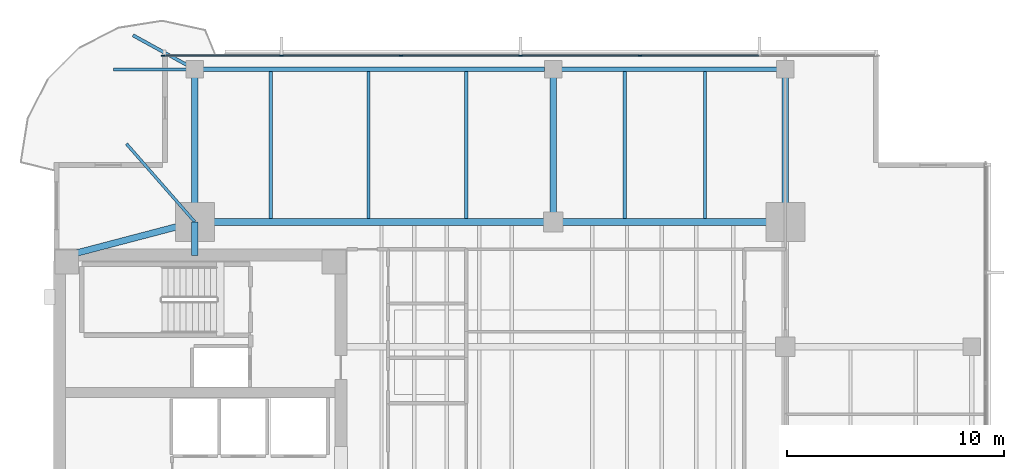
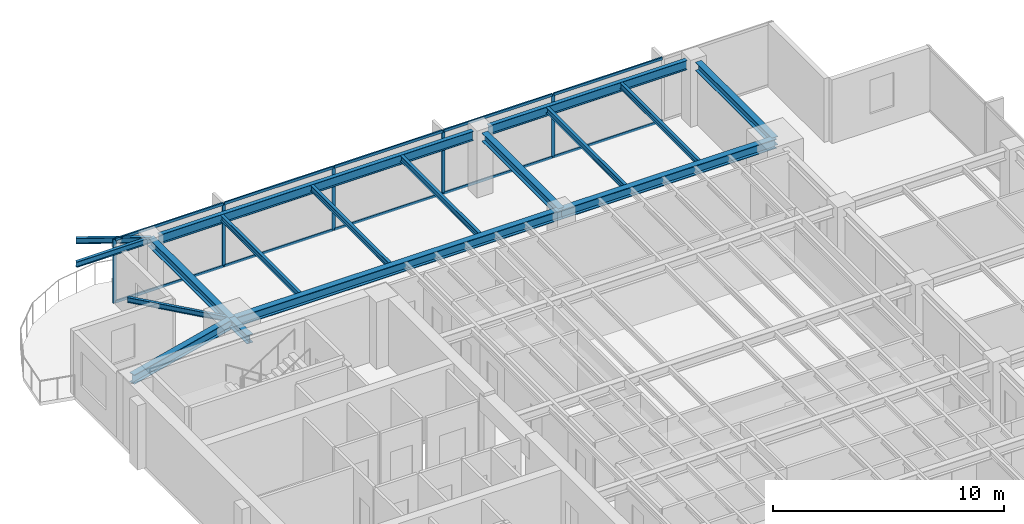
# One storey, part 5 of 14: 17 beams, 15 members, 1 element without a shape of its own.
"""IFC4 building model written with IfcOpenShell, lengths in metres."""

from ifc_helpers import new_model, si_unit, direction, frame, origin, origin_2d, place, context, subcontext, project, spatial, rectangle, i_section, extrude, material, layer, layer_set, material_profile, profile_set, type_object, element, aggregate, save


model = new_model("IFC4")

# Units and contexts
model_context = context("Model", 3, precision=1e-05, world=origin(), true_north=direction((0.0, 1.0)))
body_context = subcontext(model_context, "Body", "Model", "MODEL_VIEW")
ifc_project = project(units=[si_unit("LENGTHUNIT", "METRE"), si_unit("AREAUNIT", "SQUARE_METRE"), si_unit("VOLUMEUNIT", "CUBIC_METRE"), si_unit("PLANEANGLEUNIT", "RADIAN"), si_unit("MASSUNIT", "GRAM", prefix="KILO")], contexts=[model_context])

# Site, building, storey
site_placement = place(None, origin())
site = spatial("IfcSite", under=ifc_project, at=site_placement, CompositionType="ELEMENT")
building_placement = place(site_placement, origin())
building = spatial("IfcBuilding", under=site, at=building_placement, Name="Kinhvarn Gate Tower", CompositionType="ELEMENT")
storey_placement = place(building_placement, frame((0.0, 0.0, 227.10009765625)))
storey = spatial("IfcBuildingStorey", under=building, at=storey_placement, Name="L60", CompositionType="ELEMENT", Elevation=227.10009765625)

# Curtain wall, members
ifc_material_1 = material(Name="Anodised aluminium AW-6063", Category="aluminium")
ifc_layer = layer(ifc_material_1, 0.179931640625)
ifc_layer_set = layer_set([ifc_layer], Name="Anodised aluminium AW-6063")
curtain_wall_type = type_object("IfcCurtainWallType", Name="CW-SYS-3", PredefinedType="NOTDEFINED", material=ifc_layer_set)
curtain_wall_placement = place(storey_placement, origin())
curtain_wall = element("IfcCurtainWall", 1, at=curtain_wall_placement, inside=storey, type_object=curtain_wall_type, Name="Curtain Wall CW3 (L60)", PredefinedType="NOTDEFINED")
ifc_material_profile_1 = material_profile(ifc_material_1, rectangle(XDim=0.06494140625, YDim=0.159912109375, at=origin_2d()), Name="ALU 65x160")
ifc_profile_set_1 = profile_set([ifc_material_profile_1], Name="Anodised aluminium AW-6063")
member_type_1 = type_object("IfcMemberType", Name="CW-MUL-160", PredefinedType="MULLION", material=ifc_profile_set_1)
member_1_placement = place(storey_placement, frame((31.5, 45.409912109375, 0.0), z_axis=(0.0, 0.0, 1.0), x_axis=(0.0, -1.0, 0.0)))
member_1 = element("IfcMember", 2, at=member_1_placement, type_object=member_type_1, Name="CW3 mullion 3", PredefinedType="MULLION", context=body_context, shape_type="SweptSolid", body=[
    extrude(rectangle(XDim=0.06494140625, YDim=0.159912109375, at=origin_2d()), origin(), (0.0, 0.0, 1.0), 3.369873046875),
])
member_2_placement = place(storey_placement, frame((26.0, 45.409912109375, 0.0), z_axis=(0.0, 0.0, 1.0), x_axis=(0.0, -1.0, 0.0)))
member_2 = element("IfcMember", 3, at=member_2_placement, type_object=member_type_1, Name="CW3 mullion 4", PredefinedType="MULLION", context=body_context, shape_type="SweptSolid", body=[
    extrude(rectangle(XDim=0.06494140625, YDim=0.159912109375, at=origin_2d()), origin(), (0.0, 0.0, 1.0), 3.369873046875),
])
member_3_placement = place(storey_placement, frame((20.5, 45.409912109375, 0.0), z_axis=(0.0, 0.0, 1.0), x_axis=(0.0, -1.0, 0.0)))
member_3 = element("IfcMember", 4, at=member_3_placement, type_object=member_type_1, Name="CW3 mullion 5", PredefinedType="MULLION", context=body_context, shape_type="SweptSolid", body=[
    extrude(rectangle(XDim=0.06494140625, YDim=0.159912109375, at=origin_2d()), origin(), (0.0, 0.0, 1.0), 3.369873046875),
])
member_4_placement = place(storey_placement, frame((15.0, 45.409912109375, 0.0), z_axis=(0.0, 0.0, 1.0), x_axis=(0.0, -1.0, 0.0)))
member_4 = element("IfcMember", 5, at=member_4_placement, type_object=member_type_1, Name="CW3 mullion 6", PredefinedType="MULLION", context=body_context, shape_type="SweptSolid", body=[
    extrude(rectangle(XDim=0.06494140625, YDim=0.159912109375, at=origin_2d()), origin(), (0.0, 0.0, 1.0), 3.369873046875),
])
member_5_placement = place(storey_placement, frame((9.532470703125, 45.409912109375, 0.0), z_axis=(0.0, 0.0, 1.0), x_axis=(0.0, -1.0, 0.0)))
member_5 = element("IfcMember", 6, at=member_5_placement, type_object=member_type_1, Name="CW3 mullion 7", PredefinedType="MULLION", context=body_context, shape_type="SweptSolid", body=[
    extrude(rectangle(XDim=0.06494140625, YDim=0.159912109375, at=origin_2d()), origin(), (0.0, 0.0, 1.0), 3.369873046875),
])
ifc_material_profile_2 = material_profile(ifc_material_1, rectangle(XDim=0.070068359375, YDim=0.139892578125, at=origin_2d()), Name="ALU 70x140")
ifc_profile_set_2 = profile_set([ifc_material_profile_2], Name="Anodised aluminium AW-6063")
member_type_2 = type_object("IfcMemberType", Name="CW-TRN-140", PredefinedType="USERDEFINED", material=ifc_profile_set_2)
member_6_placement = place(storey_placement, frame((36.967529296875, 45.409912109375, 0.034912109375), z_axis=(-1.0, 0.0, 0.0), x_axis=(0.0, -1.0, 0.0)))
member_6 = element("IfcMember", 7, at=member_6_placement, type_object=member_type_2, Name="CW3 transom 2.1", ObjectType="TRANSOM", PredefinedType="USERDEFINED", context=body_context, shape_type="SweptSolid", body=[
    extrude(rectangle(XDim=0.070068359375, YDim=0.139892578125, at=origin_2d()), origin(), (0.0, 0.0, 1.0), 5.43505859375),
])
member_7_placement = place(storey_placement, frame((36.967529296875, 45.409912109375, 3.3349609375), z_axis=(-1.0, 0.0, 0.0), x_axis=(0.0, -1.0, 0.0)))
member_7 = element("IfcMember", 8, at=member_7_placement, type_object=member_type_2, Name="CW3 transom 2.2", ObjectType="TRANSOM", PredefinedType="USERDEFINED", context=body_context, shape_type="SweptSolid", body=[
    extrude(rectangle(XDim=0.070068359375, YDim=0.139892578125, at=origin_2d()), origin(), (0.0, 0.0, 1.0), 5.43505859375),
])
member_8_placement = place(storey_placement, frame((31.467529296875, 45.409912109375, 0.034912109375), z_axis=(-1.0, 0.0, 0.0), x_axis=(0.0, -1.0, 0.0)))
member_8 = element("IfcMember", 9, at=member_8_placement, type_object=member_type_2, Name="CW3 transom 3.1", ObjectType="TRANSOM", PredefinedType="USERDEFINED", context=body_context, shape_type="SweptSolid", body=[
    extrude(rectangle(XDim=0.070068359375, YDim=0.139892578125, at=origin_2d()), origin(), (0.0, 0.0, 1.0), 5.43505859375),
])
member_9_placement = place(storey_placement, frame((31.467529296875, 45.409912109375, 3.3349609375), z_axis=(-1.0, 0.0, 0.0), x_axis=(0.0, -1.0, 0.0)))
member_9 = element("IfcMember", 10, at=member_9_placement, type_object=member_type_2, Name="CW3 transom 3.2", ObjectType="TRANSOM", PredefinedType="USERDEFINED", context=body_context, shape_type="SweptSolid", body=[
    extrude(rectangle(XDim=0.070068359375, YDim=0.139892578125, at=origin_2d()), origin(), (0.0, 0.0, 1.0), 5.43505859375),
])
member_10_placement = place(storey_placement, frame((25.967529296875, 45.409912109375, 0.034912109375), z_axis=(-1.0, 0.0, 0.0), x_axis=(0.0, -1.0, 0.0)))
member_10 = element("IfcMember", 11, at=member_10_placement, type_object=member_type_2, Name="CW3 transom 4.1", ObjectType="TRANSOM", PredefinedType="USERDEFINED", context=body_context, shape_type="SweptSolid", body=[
    extrude(rectangle(XDim=0.070068359375, YDim=0.139892578125, at=origin_2d()), origin(), (0.0, 0.0, 1.0), 5.43505859375),
])
member_11_placement = place(storey_placement, frame((25.967529296875, 45.409912109375, 3.3349609375), z_axis=(-1.0, 0.0, 0.0), x_axis=(0.0, -1.0, 0.0)))
member_11 = element("IfcMember", 12, at=member_11_placement, type_object=member_type_2, Name="CW3 transom 4.2", ObjectType="TRANSOM", PredefinedType="USERDEFINED", context=body_context, shape_type="SweptSolid", body=[
    extrude(rectangle(XDim=0.070068359375, YDim=0.139892578125, at=origin_2d()), origin(), (0.0, 0.0, 1.0), 5.43505859375),
])
member_12_placement = place(storey_placement, frame((20.467529296875, 45.409912109375, 0.034912109375), z_axis=(-1.0, 0.0, 0.0), x_axis=(0.0, -1.0, 0.0)))
member_12 = element("IfcMember", 13, at=member_12_placement, type_object=member_type_2, Name="CW3 transom 5.1", ObjectType="TRANSOM", PredefinedType="USERDEFINED", context=body_context, shape_type="SweptSolid", body=[
    extrude(rectangle(XDim=0.070068359375, YDim=0.139892578125, at=origin_2d()), origin(), (0.0, 0.0, 1.0), 5.43505859375),
])
member_13_placement = place(storey_placement, frame((20.467529296875, 45.409912109375, 3.3349609375), z_axis=(-1.0, 0.0, 0.0), x_axis=(0.0, -1.0, 0.0)))
member_13 = element("IfcMember", 14, at=member_13_placement, type_object=member_type_2, Name="CW3 transom 5.2", ObjectType="TRANSOM", PredefinedType="USERDEFINED", context=body_context, shape_type="SweptSolid", body=[
    extrude(rectangle(XDim=0.070068359375, YDim=0.139892578125, at=origin_2d()), origin(), (0.0, 0.0, 1.0), 5.43505859375),
])
member_14_placement = place(storey_placement, frame((14.967529296875, 45.409912109375, 0.034912109375), z_axis=(-1.0, 0.0, 0.0), x_axis=(0.0, -1.0, 0.0)))
member_14 = element("IfcMember", 15, at=member_14_placement, type_object=member_type_2, Name="CW3 transom 6.1", ObjectType="TRANSOM", PredefinedType="USERDEFINED", context=body_context, shape_type="SweptSolid", body=[
    extrude(rectangle(XDim=0.070068359375, YDim=0.139892578125, at=origin_2d()), origin(), (0.0, 0.0, 1.0), 5.402587890625),
])
member_15_placement = place(storey_placement, frame((14.967529296875, 45.409912109375, 3.3349609375), z_axis=(-1.0, 0.0, 0.0), x_axis=(0.0, -1.0, 0.0)))
member_15 = element("IfcMember", 16, at=member_15_placement, type_object=member_type_2, Name="CW3 transom 6.2", ObjectType="TRANSOM", PredefinedType="USERDEFINED", context=body_context, shape_type="SweptSolid", body=[
    extrude(rectangle(XDim=0.070068359375, YDim=0.139892578125, at=origin_2d()), origin(), (0.0, 0.0, 1.0), 5.402587890625),
])
aggregate(curtain_wall, [member_1, member_2, member_3, member_4, member_5, member_6, member_7, member_8, member_9, member_10, member_11, member_12, member_13, member_14, member_15])

# Beams
ifc_material_2 = material(Name="Steel S355", Category="steel")
ifc_material_profile_3 = material_profile(ifc_material_2, i_section(OverallWidth=0.300048828125, OverallDepth=0.449951171875, WebThickness=0.013916015625, FlangeThickness=0.02587890625, at=origin_2d()), Name="HEB 450")
ifc_profile_set_3 = profile_set([ifc_material_profile_3], Name="Steel S355")
beam_type_1 = type_object("IfcBeamType", Name="STL-HEB450", PredefinedType="BEAM", material=ifc_profile_set_3)
beam_1_placement = place(storey_placement, frame((11.0, 36.199951171875, 3.14501953125), z_axis=(0.0, 1.0, 0.0), x_axis=(-1.0, 0.0, 0.0)))
element("IfcBeam", 17, at=beam_1_placement, inside=storey, type_object=beam_type_1, Name="Floor Beam PG-13 (L60 MCW-CN)", PredefinedType="BEAM", context=body_context, shape_type="SweptSolid", body=[
    extrude(i_section(OverallWidth=0.300048828125, OverallDepth=0.449951171875, WebThickness=0.013916015625, FlangeThickness=0.02587890625, at=origin_2d()), origin(), (0.0, 0.0, 1.0), 1.550048828125),
])
beam_2_placement = place(storey_placement, frame((11.0, 37.75, 3.14501953125), z_axis=(0.0, 1.0, 0.0), x_axis=(-1.0, 0.0, 0.0)))
element("IfcBeam", 18, at=beam_2_placement, inside=storey, type_object=beam_type_1, Name="Floor Beam PG-13 (L60 MCW-N)", PredefinedType="BEAM", context=body_context, shape_type="SweptSolid", body=[
    extrude(i_section(OverallWidth=0.300048828125, OverallDepth=0.449951171875, WebThickness=0.013916015625, FlangeThickness=0.02587890625, at=origin_2d()), origin(), (0.0, 0.0, 1.0), 7.030029296875),
])
for number, where, z_axis, x_axis, name in (
    (19, (27.5, 37.75, 3.14501953125), (0.0, 1.0, 0.0), (-1.0, 0.0, 0.0), "Floor Beam PG-13 (L60 SP27-N-TIE)"),
    (20, (38.199951171875, 37.75, 3.14501953125), (0.0, 1.0, 0.0), (-1.0, 0.0, 0.0), "Floor Beam PG-13 (L60 MCE-N)"),
):
    element("IfcBeam", number, at=place(storey_placement, frame(where, z_axis=z_axis, x_axis=x_axis)), inside=storey, type_object=beam_type_1, Name=name, PredefinedType="BEAM", context=body_context, shape_type="SweptSolid", body=[
        extrude(i_section(OverallWidth=0.300048828125, OverallDepth=0.449951171875, WebThickness=0.013916015625, FlangeThickness=0.02587890625, at=origin_2d()), origin(), (0.0, 0.0, 1.0), 6.64501953125),
    ])
ifc_material_profile_4 = material_profile(ifc_material_2, i_section(OverallWidth=0.300048828125, OverallDepth=0.5, WebThickness=0.014404296875, FlangeThickness=0.028076171875, at=origin_2d()), Name="HEB 500")
ifc_profile_set_4 = profile_set([ifc_material_profile_4], Name="Steel S355")
beam_type_2 = type_object("IfcBeamType", Name="STL-HEB500", PredefinedType="BEAM", material=ifc_profile_set_4)
beam_3_placement = place(storey_placement, frame((11.0, 37.75, 3.119873046875), z_axis=(1.0, 0.0, 0.0), x_axis=(0.0, 1.0, 0.0)))
element("IfcBeam", 21, at=beam_3_placement, inside=storey, type_object=beam_type_2, Name="Floor Beam PG-14 (L60 MG-N1)", PredefinedType="BEAM", context=body_context, shape_type="SweptSolid", body=[
    extrude(i_section(OverallWidth=0.300048828125, OverallDepth=0.5, WebThickness=0.014404296875, FlangeThickness=0.028076171875, at=origin_2d()), origin(), (0.0, 0.0, 1.0), 16.5),
])
beam_4_placement = place(storey_placement, frame((27.5, 37.75, 3.119873046875), z_axis=(1.0, 0.0, 0.0), x_axis=(0.0, 1.0, 0.0)))
element("IfcBeam", 22, at=beam_4_placement, inside=storey, type_object=beam_type_2, Name="Floor Beam PG-14 (L60 MG-N2)", PredefinedType="BEAM", context=body_context, shape_type="SweptSolid", body=[
    extrude(i_section(OverallWidth=0.300048828125, OverallDepth=0.5, WebThickness=0.014404296875, FlangeThickness=0.028076171875, at=origin_2d()), origin(), (0.0, 0.0, 1.0), 10.699951171875),
])
beam_5_placement = place(storey_placement, frame((5.10009765625, 36.199951171875, 3.119873046875), z_axis=(0.967177623957, 0.254101246979, 0.0), x_axis=(-0.254101246979, 0.967177623957, 0.0)))
element("IfcBeam", 23, at=beam_5_placement, inside=storey, type_object=beam_type_2, Name="Floor Beam PG-14 (L60 MG-NW-DIAG)", PredefinedType="BEAM", context=body_context, shape_type="SweptSolid", body=[
    extrude(i_section(OverallWidth=0.300048828125, OverallDepth=0.5, WebThickness=0.014404296875, FlangeThickness=0.028076171875, at=origin_2d()), origin(), (0.0, 0.0, 1.0), 6.10009765625),
])
ifc_material_profile_5 = material_profile(ifc_material_2, i_section(OverallWidth=0.135009765625, OverallDepth=0.27001953125, WebThickness=0.006591796875, FlangeThickness=0.01025390625, at=origin_2d()), Name="IPE 270")
ifc_profile_set_5 = profile_set([ifc_material_profile_5], Name="Steel S355")
beam_type_3 = type_object("IfcBeamType", Name="STL-IPE270", PredefinedType="JOIST", material=ifc_profile_set_5)
beam_6_placement = place(storey_placement, frame((11.0, 37.75, 3.23486328125), z_axis=(-0.658482928045, 0.752595664001, 0.0), x_axis=(-0.752595664001, -0.658482928045, 0.0)))
element("IfcBeam", 24, at=beam_6_placement, inside=storey, type_object=beam_type_3, Name="Floor Joist SB-01 (L60 BAL-B3-L61)", PredefinedType="JOIST", context=body_context, shape_type="SweptSolid", body=[
    extrude(i_section(OverallWidth=0.135009765625, OverallDepth=0.27001953125, WebThickness=0.006591796875, FlangeThickness=0.01025390625, at=origin_2d()), origin(), (0.0, 0.0, 1.0), 4.78369140625),
])
ifc_material_profile_6 = material_profile(ifc_material_2, i_section(OverallWidth=0.14990234375, OverallDepth=0.300048828125, WebThickness=0.007080078125, FlangeThickness=0.0107421875, at=origin_2d()), Name="IPE 300")
ifc_profile_set_6 = profile_set([ifc_material_profile_6], Name="Steel S355")
beam_type_4 = type_object("IfcBeamType", Name="STL-IPE300", PredefinedType="JOIST", material=ifc_profile_set_6)
for number, where, z_axis, x_axis, name in (
    (25, (14.5, 37.89990234375, 3.219970703125), (0.0, 1.0, 0.0), (-1.0, 0.0, 0.0), "Floor Joist SB-02 (L60 JN-X145)"),
    (26, (19.0, 37.89990234375, 3.219970703125), (0.0, 1.0, 0.0), (-1.0, 0.0, 0.0), "Floor Joist SB-02 (L60 JN-X190)"),
    (27, (23.5, 37.89990234375, 3.219970703125), (0.0, 1.0, 0.0), (-1.0, 0.0, 0.0), "Floor Joist SB-02 (L60 JN-X235)"),
    (28, (30.800048828125, 37.89990234375, 3.219970703125), (0.0, 1.0, 0.0), (-1.0, 0.0, 0.0), "Floor Joist SB-02 (L60 JN-X308)"),
    (29, (34.5, 37.89990234375, 3.219970703125), (0.0, 1.0, 0.0), (-1.0, 0.0, 0.0), "Floor Joist SB-02 (L60 JN-X345)"),
):
    element("IfcBeam", number, at=place(storey_placement, frame(where, z_axis=z_axis, x_axis=x_axis)), inside=storey, type_object=beam_type_4, Name=name, PredefinedType="JOIST", context=body_context, shape_type="SweptSolid", body=[
        extrude(i_section(OverallWidth=0.14990234375, OverallDepth=0.300048828125, WebThickness=0.007080078125, FlangeThickness=0.0107421875, at=origin_2d()), origin(), (0.0, 0.0, 1.0), 6.780029296875),
    ])
beam_7_placement = place(storey_placement, frame((11.0, 44.780029296875, 3.219970703125), z_axis=(-1.0, 0.0, 0.0), x_axis=(0.0, -1.0, 0.0)))
element("IfcBeam", 30, at=beam_7_placement, inside=storey, type_object=beam_type_4, Name="Floor Joist SB-02 (L60 BAL-B1-L61)", PredefinedType="JOIST", context=body_context, shape_type="SweptSolid", body=[
    extrude(i_section(OverallWidth=0.14990234375, OverallDepth=0.300048828125, WebThickness=0.007080078125, FlangeThickness=0.0107421875, at=origin_2d()), origin(), (0.0, 0.0, 1.0), 3.75),
])
beam_8_placement = place(storey_placement, frame((11.0, 44.780029296875, 3.219970703125), z_axis=(-0.875889381738, 0.482511959394, 0.0), x_axis=(-0.482511959394, -0.875889381738, 0.0)))
element("IfcBeam", 31, at=beam_8_placement, inside=storey, type_object=beam_type_4, Name="Floor Joist SB-02 (L60 BAL-B2-L61)", PredefinedType="JOIST", context=body_context, shape_type="SweptSolid", body=[
    extrude(i_section(OverallWidth=0.14990234375, OverallDepth=0.300048828125, WebThickness=0.007080078125, FlangeThickness=0.0107421875, at=origin_2d()), origin(), (0.0, 0.0, 1.0), 3.25390625),
])
ifc_material_profile_7 = material_profile(ifc_material_2, i_section(OverallWidth=0.199951171875, OverallDepth=0.5, WebThickness=0.01025390625, FlangeThickness=0.01611328125, at=origin_2d()), Name="IPE 500")
ifc_profile_set_7 = profile_set([ifc_material_profile_7], Name="Steel S355")
beam_type_5 = type_object("IfcBeamType", Name="STL-IPE500", PredefinedType="SPANDREL", material=ifc_profile_set_7)
beam_9_placement = place(storey_placement, frame((11.385009765625, 44.780029296875, 3.119873046875), z_axis=(1.0, 0.0, 0.0), x_axis=(0.0, 1.0, 0.0)))
element("IfcBeam", 32, at=beam_9_placement, inside=storey, type_object=beam_type_5, Name="Floor Spandrel SB-07 (L60 SP-N1)", PredefinedType="SPANDREL", context=body_context, shape_type="SweptSolid", body=[
    extrude(i_section(OverallWidth=0.199951171875, OverallDepth=0.5, WebThickness=0.01025390625, FlangeThickness=0.01611328125, at=origin_2d()), origin(), (0.0, 0.0, 1.0), 15.72998046875),
])
beam_10_placement = place(storey_placement, frame((27.885009765625, 44.780029296875, 3.119873046875), z_axis=(1.0, 0.0, 0.0), x_axis=(0.0, 1.0, 0.0)))
element("IfcBeam", 33, at=beam_10_placement, inside=storey, type_object=beam_type_5, Name="Floor Spandrel SB-07 (L60 SP-N2)", PredefinedType="SPANDREL", context=body_context, shape_type="SweptSolid", body=[
    extrude(i_section(OverallWidth=0.199951171875, OverallDepth=0.5, WebThickness=0.01025390625, FlangeThickness=0.01611328125, at=origin_2d()), origin(), (0.0, 0.0, 1.0), 9.929931640625),
])

save(model, "model.ifc")
